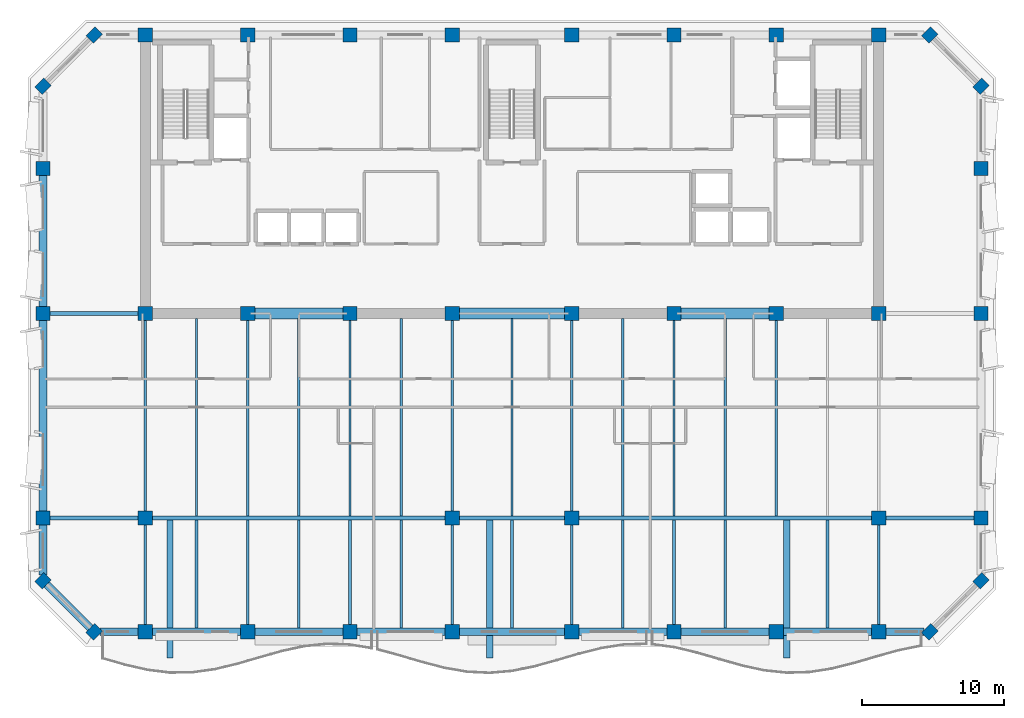
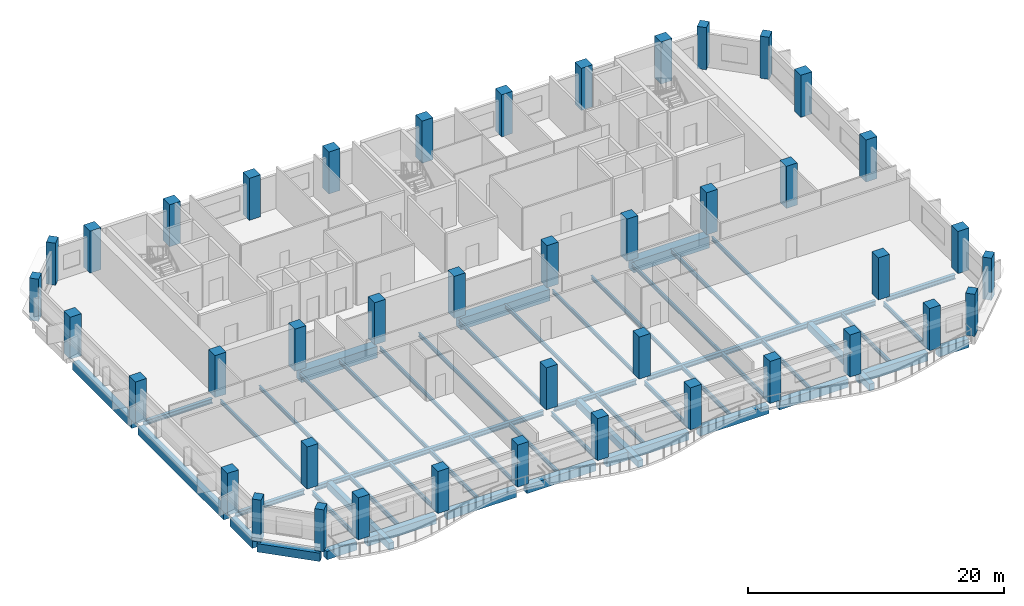
# One storey, part 1 of 10: 52 beams, 42 columns.
"""IFC4 building model written with IfcOpenShell, lengths in metres."""

from ifc_helpers import new_model, si_unit, direction, frame, origin, origin_2d, place, context, subcontext, project, spatial, rectangle, i_section, extrude, material, material_profile, profile_set, type_object, element, save


model = new_model("IFC4")

# Units and contexts
model_context = context("Model", 3, precision=1e-05, world=origin(), true_north=direction((0.0, 1.0)))
body_context = subcontext(model_context, "Body", "Model", "MODEL_VIEW")
ifc_project = project(units=[si_unit("LENGTHUNIT", "METRE"), si_unit("AREAUNIT", "SQUARE_METRE"), si_unit("VOLUMEUNIT", "CUBIC_METRE"), si_unit("PLANEANGLEUNIT", "RADIAN"), si_unit("MASSUNIT", "GRAM", prefix="KILO")], contexts=[model_context])

# Site, building, storey
site_placement = place(None, origin())
site = spatial("IfcSite", under=ifc_project, at=site_placement, CompositionType="ELEMENT")
building_placement = place(site_placement, origin())
building = spatial("IfcBuilding", under=site, at=building_placement, Name="Kaelvorn Grand Hotel", CompositionType="ELEMENT")
storey_placement = place(building_placement, frame((0.0, 0.0, 290.300048828125)))
storey = spatial("IfcBuildingStorey", under=building, at=storey_placement, Name="L71", CompositionType="ELEMENT", Elevation=290.300048828125)

# Columns
ifc_material_1 = material(Name="Concrete C60/75", Category="concrete")
ifc_material_profile_1 = material_profile(ifc_material_1, rectangle(XDim=0.89990234375, YDim=0.75, at=origin_2d()), Name="RC PILASTER 900x750")
ifc_profile_set_1 = profile_set([ifc_material_profile_1], Name="Concrete C60/75")
column_type_1 = type_object("IfcColumnType", Name="COL-PIL-900x750-C60", PredefinedType="PILASTER", material=ifc_profile_set_1)
for number, where, z_axis, x_axis, name in (
    (1, (12.60009765625, 7.0, 0.0), (0.0, 0.0, 1.0), (0.707106781187, 0.707106781187, 0.0), "L71 Structural Column CH-01"),
    (2, (71.39990234375, 7.0, 0.0), (0.0, 0.0, 1.0), (0.707106781187, 0.707106781187, 0.0), "L71 Structural Column CH-02"),
    (3, (75.0, 10.60009765625, 0.0), (0.0, 0.0, 1.0), (0.707106781187, 0.707106781187, 0.0), "L71 Structural Column CH-03"),
    (4, (75.0, 45.39990234375, 0.0), (0.0, 0.0, 1.0), (0.707106781187, 0.707106781187, 0.0), "L71 Structural Column CH-04"),
    (5, (71.39990234375, 49.0, 0.0), (0.0, 0.0, 1.0), (0.707106781187, 0.707106781187, 0.0), "L71 Structural Column CH-05"),
    (6, (12.60009765625, 49.0, 0.0), (0.0, 0.0, 1.0), (0.707106781187, 0.707106781187, 0.0), "L71 Structural Column CH-06"),
    (7, (9.0, 45.39990234375, 0.0), (0.0, 0.0, 1.0), (0.707106781187, 0.707106781187, 0.0), "L71 Structural Column CH-07"),
    (8, (9.0, 10.60009765625, 0.0), (0.0, 0.0, 1.0), (0.707106781187, 0.707106781187, 0.0), "L71 Structural Column CH-08"),
):
    element("IfcColumn", number, at=place(storey_placement, frame(where, z_axis=z_axis, x_axis=x_axis)), inside=storey, type_object=column_type_1, Name=name, PredefinedType="PILASTER", context=body_context, shape_type="SweptSolid", body=[
        extrude(rectangle(XDim=0.89990234375, YDim=0.75, at=origin_2d()), origin(), (0.0, 0.0, 1.0), 4.02001953125),
    ])
ifc_material_2 = material(Name="Concrete C50/60", Category="concrete")
ifc_material_profile_2 = material_profile(ifc_material_2, rectangle(XDim=1.0, YDim=1.0, at=origin_2d()), Name="RC COL 1000x1000")
ifc_profile_set_2 = profile_set([ifc_material_profile_2], Name="Concrete C50/60")
column_type_2 = type_object("IfcColumnType", Name="COL-RC-1000-C50", PredefinedType="COLUMN", material=ifc_profile_set_2)
for number, where, z_axis, x_axis, name in (
    (9, (16.199951171875, 7.0, 0.0), (0.0, 0.0, 1.0), (1.0, 0.0, 0.0), "L71 Structural Column S-01"),
    (10, (23.39990234375, 7.0, 0.0), (0.0, 0.0, 1.0), (1.0, 0.0, 0.0), "L71 Structural Column S-02"),
    (11, (30.60009765625, 7.0, 0.0), (0.0, 0.0, 1.0), (1.0, 0.0, 0.0), "L71 Structural Column S-03"),
    (12, (37.800048828125, 7.0, 0.0), (0.0, 0.0, 1.0), (1.0, 0.0, 0.0), "L71 Structural Column S-04"),
    (13, (46.199951171875, 7.0, 0.0), (0.0, 0.0, 1.0), (1.0, 0.0, 0.0), "L71 Structural Column S-05"),
    (14, (53.39990234375, 7.0, 0.0), (0.0, 0.0, 1.0), (1.0, 0.0, 0.0), "L71 Structural Column S-06"),
    (15, (60.60009765625, 7.0, 0.0), (0.0, 0.0, 1.0), (1.0, 0.0, 0.0), "L71 Structural Column S-07"),
    (16, (67.800048828125, 7.0, 0.0), (0.0, 0.0, 1.0), (1.0, 0.0, 0.0), "L71 Structural Column S-08"),
    (17, (9.0, 15.0, 0.0), (0.0, 0.0, 1.0), (1.0, 0.0, 0.0), "L71 Structural Column W-01"),
    (18, (75.0, 15.0, 0.0), (0.0, 0.0, 1.0), (1.0, 0.0, 0.0), "L71 Structural Column E-01"),
    (19, (9.0, 29.39990234375, 0.0), (0.0, 0.0, 1.0), (1.0, 0.0, 0.0), "L71 Structural Column W-02"),
    (20, (75.0, 29.39990234375, 0.0), (0.0, 0.0, 1.0), (1.0, 0.0, 0.0), "L71 Structural Column E-02"),
    (21, (9.0, 39.60009765625, 0.0), (0.0, 0.0, 1.0), (1.0, 0.0, 0.0), "L71 Structural Column W-03"),
    (22, (75.0, 39.60009765625, 0.0), (0.0, 0.0, 1.0), (1.0, 0.0, 0.0), "L71 Structural Column E-03"),
    (23, (16.199951171875, 15.0, 0.0), (0.0, 0.0, 1.0), (1.0, 0.0, 0.0), "L71 Structural Column M-01"),
    (24, (37.800048828125, 15.0, 0.0), (0.0, 0.0, 1.0), (1.0, 0.0, 0.0), "L71 Structural Column M-02"),
    (25, (46.199951171875, 15.0, 0.0), (0.0, 0.0, 1.0), (1.0, 0.0, 0.0), "L71 Structural Column M-03"),
    (26, (67.800048828125, 15.0, 0.0), (0.0, 0.0, 1.0), (1.0, 0.0, 0.0), "L71 Structural Column M-04"),
    (27, (16.199951171875, 29.39990234375, 0.0), (0.0, 0.0, 1.0), (1.0, 0.0, 0.0), "L71 Structural Column CR1-01"),
    (28, (16.199951171875, 49.0, 0.0), (0.0, 0.0, 1.0), (1.0, 0.0, 0.0), "L71 Structural Column CR2-01"),
    (29, (23.39990234375, 29.39990234375, 0.0), (0.0, 0.0, 1.0), (1.0, 0.0, 0.0), "L71 Structural Column CR1-02"),
    (30, (23.39990234375, 49.0, 0.0), (0.0, 0.0, 1.0), (1.0, 0.0, 0.0), "L71 Structural Column CR2-02"),
    (31, (30.60009765625, 29.39990234375, 0.0), (0.0, 0.0, 1.0), (1.0, 0.0, 0.0), "L71 Structural Column CR1-03"),
    (32, (30.60009765625, 49.0, 0.0), (0.0, 0.0, 1.0), (1.0, 0.0, 0.0), "L71 Structural Column CR2-03"),
    (33, (37.800048828125, 29.39990234375, 0.0), (0.0, 0.0, 1.0), (1.0, 0.0, 0.0), "L71 Structural Column CR1-04"),
    (34, (37.800048828125, 49.0, 0.0), (0.0, 0.0, 1.0), (1.0, 0.0, 0.0), "L71 Structural Column CR2-04"),
    (35, (46.199951171875, 29.39990234375, 0.0), (0.0, 0.0, 1.0), (1.0, 0.0, 0.0), "L71 Structural Column CR1-05"),
    (36, (46.199951171875, 49.0, 0.0), (0.0, 0.0, 1.0), (1.0, 0.0, 0.0), "L71 Structural Column CR2-05"),
    (37, (53.39990234375, 29.39990234375, 0.0), (0.0, 0.0, 1.0), (1.0, 0.0, 0.0), "L71 Structural Column CR1-06"),
    (38, (53.39990234375, 49.0, 0.0), (0.0, 0.0, 1.0), (1.0, 0.0, 0.0), "L71 Structural Column CR2-06"),
    (39, (60.60009765625, 29.39990234375, 0.0), (0.0, 0.0, 1.0), (1.0, 0.0, 0.0), "L71 Structural Column CR1-07"),
    (40, (60.60009765625, 49.0, 0.0), (0.0, 0.0, 1.0), (1.0, 0.0, 0.0), "L71 Structural Column CR2-07"),
    (41, (67.800048828125, 29.39990234375, 0.0), (0.0, 0.0, 1.0), (1.0, 0.0, 0.0), "L71 Structural Column CR1-08"),
    (42, (67.800048828125, 49.0, 0.0), (0.0, 0.0, 1.0), (1.0, 0.0, 0.0), "L71 Structural Column CR2-08"),
):
    element("IfcColumn", number, at=place(storey_placement, frame(where, z_axis=z_axis, x_axis=x_axis)), inside=storey, type_object=column_type_2, Name=name, PredefinedType="COLUMN", context=body_context, shape_type="SweptSolid", body=[
        extrude(rectangle(XDim=1.0, YDim=1.0, at=origin_2d()), origin(), (0.0, 0.0, 1.0), 4.02001953125),
    ])

# Beams
ifc_material_3 = material(Name="Steel S355", Category="steel")
ifc_material_profile_3 = material_profile(ifc_material_3, i_section(OverallWidth=0.300048828125, OverallDepth=0.43994140625, WebThickness=0.011474609375, FlangeThickness=0.02099609375, FilletRadius=0.027099609375, at=origin_2d()), Name="HEA 450")
ifc_profile_set_3 = profile_set([ifc_material_profile_3], Name="Steel S355")
beam_type_1 = type_object("IfcBeamType", Name="BM-G-HEA450-S355", PredefinedType="BEAM", material=ifc_profile_set_3)
beam_1_placement = place(storey_placement, frame((9.485107421875, 15.0, -0.52001953125), z_axis=(1.0, 0.0, 0.0), x_axis=(0.0, 1.0, 0.0)))
element("IfcBeam", 43, at=beam_1_placement, inside=storey, type_object=beam_type_1, Name="L71 Primary Spine Steel Girder G-15 01", PredefinedType="BEAM", context=body_context, shape_type="SweptSolid", body=[
    extrude(i_section(OverallWidth=0.300048828125, OverallDepth=0.43994140625, WebThickness=0.011474609375, FlangeThickness=0.02099609375, FilletRadius=0.027099609375, at=origin_2d()), origin(), (0.0, 0.0, 1.0), 6.22998046875),
])
beam_2_placement = place(storey_placement, frame((16.68505859375, 15.0, -0.52001953125), z_axis=(1.0, 0.0, 0.0), x_axis=(0.0, 1.0, 0.0)))
element("IfcBeam", 44, at=beam_2_placement, inside=storey, type_object=beam_type_1, Name="L71 Primary Spine Steel Girder G-15 02", PredefinedType="BEAM", context=body_context, shape_type="SweptSolid", body=[
    extrude(i_section(OverallWidth=0.300048828125, OverallDepth=0.43994140625, WebThickness=0.011474609375, FlangeThickness=0.02099609375, FilletRadius=0.027099609375, at=origin_2d()), origin(), (0.0, 0.0, 1.0), 20.6298828125),
])
beam_3_placement = place(storey_placement, frame((38.284912109375, 15.0, -0.52001953125), z_axis=(1.0, 0.0, 0.0), x_axis=(0.0, 1.0, 0.0)))
element("IfcBeam", 45, at=beam_3_placement, inside=storey, type_object=beam_type_1, Name="L71 Primary Spine Steel Girder G-15 03", PredefinedType="BEAM", context=body_context, shape_type="SweptSolid", body=[
    extrude(i_section(OverallWidth=0.300048828125, OverallDepth=0.43994140625, WebThickness=0.011474609375, FlangeThickness=0.02099609375, FilletRadius=0.027099609375, at=origin_2d()), origin(), (0.0, 0.0, 1.0), 7.43017578125),
])
beam_4_placement = place(storey_placement, frame((46.68505859375, 15.0, -0.52001953125), z_axis=(1.0, 0.0, 0.0), x_axis=(0.0, 1.0, 0.0)))
element("IfcBeam", 46, at=beam_4_placement, inside=storey, type_object=beam_type_1, Name="L71 Primary Spine Steel Girder G-15 04", PredefinedType="BEAM", context=body_context, shape_type="SweptSolid", body=[
    extrude(i_section(OverallWidth=0.300048828125, OverallDepth=0.43994140625, WebThickness=0.011474609375, FlangeThickness=0.02099609375, FilletRadius=0.027099609375, at=origin_2d()), origin(), (0.0, 0.0, 1.0), 20.6298828125),
])
for number, where, z_axis, x_axis, name in (
    (47, (68.284912109375, 15.0, -0.52001953125), (1.0, 0.0, 0.0), (0.0, 1.0, 0.0), "L71 Primary Spine Steel Girder G-15 05"),
    (48, (9.485107421875, 29.39990234375, -0.52001953125), (1.0, 0.0, 0.0), (0.0, 1.0, 0.0), "L71 West Core Wing Steel Girder G-29W 01"),
):
    element("IfcBeam", number, at=place(storey_placement, frame(where, z_axis=z_axis, x_axis=x_axis)), inside=storey, type_object=beam_type_1, Name=name, PredefinedType="BEAM", context=body_context, shape_type="SweptSolid", body=[
        extrude(i_section(OverallWidth=0.300048828125, OverallDepth=0.43994140625, WebThickness=0.011474609375, FlangeThickness=0.02099609375, FilletRadius=0.027099609375, at=origin_2d()), origin(), (0.0, 0.0, 1.0), 6.22998046875),
    ])
ifc_material_profile_4 = material_profile(ifc_material_3, i_section(OverallWidth=0.169921875, OverallDepth=0.360107421875, WebThickness=0.008056640625, FlangeThickness=0.0126953125, FilletRadius=0.01806640625, at=origin_2d()), Name="IPE 360")
ifc_profile_set_4 = profile_set([ifc_material_profile_4], Name="Steel S355")
beam_type_2 = type_object("IfcBeamType", Name="BM-J-IPE360-S355", PredefinedType="JOIST", material=ifc_profile_set_4)
beam_5_placement = place(storey_placement, frame((16.199951171875, 15.485107421875, -0.47998046875), z_axis=(0.0, 1.0, 0.0), x_axis=(-1.0, 0.0, 0.0)))
element("IfcBeam", 49, at=beam_5_placement, inside=storey, type_object=beam_type_2, Name="L71 Composite Floor Joist JM-05", PredefinedType="JOIST", context=body_context, shape_type="SweptSolid", body=[
    extrude(i_section(OverallWidth=0.169921875, OverallDepth=0.360107421875, WebThickness=0.008056640625, FlangeThickness=0.0126953125, FilletRadius=0.01806640625, at=origin_2d()), origin(), (0.0, 0.0, 1.0), 13.429931640625),
])
beam_6_placement = place(storey_placement, frame((19.800048828125, 15.135009765625, -0.47998046875), z_axis=(0.0, 1.0, 0.0), x_axis=(-1.0, 0.0, 0.0)))
element("IfcBeam", 50, at=beam_6_placement, inside=storey, type_object=beam_type_2, Name="L71 Composite Floor Joist JM-06", PredefinedType="JOIST", context=body_context, shape_type="SweptSolid", body=[
    extrude(i_section(OverallWidth=0.169921875, OverallDepth=0.360107421875, WebThickness=0.008056640625, FlangeThickness=0.0126953125, FilletRadius=0.01806640625, at=origin_2d()), origin(), (0.0, 0.0, 1.0), 13.925048828125),
])
beam_7_placement = place(storey_placement, frame((23.39990234375, 15.135009765625, -0.47998046875), z_axis=(0.0, 1.0, 0.0), x_axis=(-1.0, 0.0, 0.0)))
element("IfcBeam", 51, at=beam_7_placement, inside=storey, type_object=beam_type_2, Name="L71 Composite Floor Joist JM-07", PredefinedType="JOIST", context=body_context, shape_type="SweptSolid", body=[
    extrude(i_section(OverallWidth=0.169921875, OverallDepth=0.360107421875, WebThickness=0.008056640625, FlangeThickness=0.0126953125, FilletRadius=0.01806640625, at=origin_2d()), origin(), (0.0, 0.0, 1.0), 13.780029296875),
])
beam_8_placement = place(storey_placement, frame((27.0, 15.135009765625, -0.47998046875), z_axis=(0.0, 1.0, 0.0), x_axis=(-1.0, 0.0, 0.0)))
element("IfcBeam", 52, at=beam_8_placement, inside=storey, type_object=beam_type_2, Name="L71 Composite Floor Joist JM-08", PredefinedType="JOIST", context=body_context, shape_type="SweptSolid", body=[
    extrude(i_section(OverallWidth=0.169921875, OverallDepth=0.360107421875, WebThickness=0.008056640625, FlangeThickness=0.0126953125, FilletRadius=0.01806640625, at=origin_2d()), origin(), (0.0, 0.0, 1.0), 13.925048828125),
])
beam_9_placement = place(storey_placement, frame((30.60009765625, 15.135009765625, -0.47998046875), z_axis=(0.0, 1.0, 0.0), x_axis=(-1.0, 0.0, 0.0)))
element("IfcBeam", 53, at=beam_9_placement, inside=storey, type_object=beam_type_2, Name="L71 Composite Floor Joist JM-09", PredefinedType="JOIST", context=body_context, shape_type="SweptSolid", body=[
    extrude(i_section(OverallWidth=0.169921875, OverallDepth=0.360107421875, WebThickness=0.008056640625, FlangeThickness=0.0126953125, FilletRadius=0.01806640625, at=origin_2d()), origin(), (0.0, 0.0, 1.0), 13.780029296875),
])
beam_10_placement = place(storey_placement, frame((34.199951171875, 15.135009765625, -0.47998046875), z_axis=(0.0, 1.0, 0.0), x_axis=(-1.0, 0.0, 0.0)))
element("IfcBeam", 54, at=beam_10_placement, inside=storey, type_object=beam_type_2, Name="L71 Composite Floor Joist JM-10", PredefinedType="JOIST", context=body_context, shape_type="SweptSolid", body=[
    extrude(i_section(OverallWidth=0.169921875, OverallDepth=0.360107421875, WebThickness=0.008056640625, FlangeThickness=0.0126953125, FilletRadius=0.01806640625, at=origin_2d()), origin(), (0.0, 0.0, 1.0), 13.925048828125),
])
beam_11_placement = place(storey_placement, frame((37.800048828125, 15.485107421875, -0.47998046875), z_axis=(0.0, 1.0, 0.0), x_axis=(-1.0, 0.0, 0.0)))
element("IfcBeam", 55, at=beam_11_placement, inside=storey, type_object=beam_type_2, Name="L71 Composite Floor Joist JM-11", PredefinedType="JOIST", context=body_context, shape_type="SweptSolid", body=[
    extrude(i_section(OverallWidth=0.169921875, OverallDepth=0.360107421875, WebThickness=0.008056640625, FlangeThickness=0.0126953125, FilletRadius=0.01806640625, at=origin_2d()), origin(), (0.0, 0.0, 1.0), 13.429931640625),
])
beam_12_placement = place(storey_placement, frame((42.0, 15.135009765625, -0.47998046875), z_axis=(0.0, 1.0, 0.0), x_axis=(-1.0, 0.0, 0.0)))
element("IfcBeam", 56, at=beam_12_placement, inside=storey, type_object=beam_type_2, Name="L71 Composite Floor Joist JM-12", PredefinedType="JOIST", context=body_context, shape_type="SweptSolid", body=[
    extrude(i_section(OverallWidth=0.169921875, OverallDepth=0.360107421875, WebThickness=0.008056640625, FlangeThickness=0.0126953125, FilletRadius=0.01806640625, at=origin_2d()), origin(), (0.0, 0.0, 1.0), 13.925048828125),
])
beam_13_placement = place(storey_placement, frame((46.199951171875, 15.485107421875, -0.47998046875), z_axis=(0.0, 1.0, 0.0), x_axis=(-1.0, 0.0, 0.0)))
element("IfcBeam", 57, at=beam_13_placement, inside=storey, type_object=beam_type_2, Name="L71 Composite Floor Joist JM-13", PredefinedType="JOIST", context=body_context, shape_type="SweptSolid", body=[
    extrude(i_section(OverallWidth=0.169921875, OverallDepth=0.360107421875, WebThickness=0.008056640625, FlangeThickness=0.0126953125, FilletRadius=0.01806640625, at=origin_2d()), origin(), (0.0, 0.0, 1.0), 13.429931640625),
])
beam_14_placement = place(storey_placement, frame((49.800048828125, 15.135009765625, -0.47998046875), z_axis=(0.0, 1.0, 0.0), x_axis=(-1.0, 0.0, 0.0)))
element("IfcBeam", 58, at=beam_14_placement, inside=storey, type_object=beam_type_2, Name="L71 Composite Floor Joist JM-14", PredefinedType="JOIST", context=body_context, shape_type="SweptSolid", body=[
    extrude(i_section(OverallWidth=0.169921875, OverallDepth=0.360107421875, WebThickness=0.008056640625, FlangeThickness=0.0126953125, FilletRadius=0.01806640625, at=origin_2d()), origin(), (0.0, 0.0, 1.0), 13.925048828125),
])
beam_15_placement = place(storey_placement, frame((53.39990234375, 15.135009765625, -0.47998046875), z_axis=(0.0, 1.0, 0.0), x_axis=(-1.0, 0.0, 0.0)))
element("IfcBeam", 59, at=beam_15_placement, inside=storey, type_object=beam_type_2, Name="L71 Composite Floor Joist JM-15", PredefinedType="JOIST", context=body_context, shape_type="SweptSolid", body=[
    extrude(i_section(OverallWidth=0.169921875, OverallDepth=0.360107421875, WebThickness=0.008056640625, FlangeThickness=0.0126953125, FilletRadius=0.01806640625, at=origin_2d()), origin(), (0.0, 0.0, 1.0), 13.780029296875),
])
beam_16_placement = place(storey_placement, frame((57.0, 15.135009765625, -0.47998046875), z_axis=(0.0, 1.0, 0.0), x_axis=(-1.0, 0.0, 0.0)))
element("IfcBeam", 60, at=beam_16_placement, inside=storey, type_object=beam_type_2, Name="L71 Composite Floor Joist JM-16", PredefinedType="JOIST", context=body_context, shape_type="SweptSolid", body=[
    extrude(i_section(OverallWidth=0.169921875, OverallDepth=0.360107421875, WebThickness=0.008056640625, FlangeThickness=0.0126953125, FilletRadius=0.01806640625, at=origin_2d()), origin(), (0.0, 0.0, 1.0), 13.925048828125),
])
beam_17_placement = place(storey_placement, frame((60.60009765625, 15.135009765625, -0.47998046875), z_axis=(0.0, 1.0, 0.0), x_axis=(-1.0, 0.0, 0.0)))
element("IfcBeam", 61, at=beam_17_placement, inside=storey, type_object=beam_type_2, Name="L71 Composite Floor Joist JM-17", PredefinedType="JOIST", context=body_context, shape_type="SweptSolid", body=[
    extrude(i_section(OverallWidth=0.169921875, OverallDepth=0.360107421875, WebThickness=0.008056640625, FlangeThickness=0.0126953125, FilletRadius=0.01806640625, at=origin_2d()), origin(), (0.0, 0.0, 1.0), 13.780029296875),
])
ifc_material_profile_5 = material_profile(ifc_material_3, i_section(OverallWidth=0.179931640625, OverallDepth=0.39990234375, WebThickness=0.008544921875, FlangeThickness=0.013427734375, FilletRadius=0.02099609375, at=origin_2d()), Name="IPE 400")
ifc_profile_set_5 = profile_set([ifc_material_profile_5], Name="Steel S355")
beam_type_3 = type_object("IfcBeamType", Name="BM-J-IPE400-S355", PredefinedType="JOIST", material=ifc_profile_set_5)
beam_18_placement = place(storey_placement, frame((16.199951171875, 7.485107421875, -0.5), z_axis=(0.0, 1.0, 0.0), x_axis=(-1.0, 0.0, 0.0)))
element("IfcBeam", 62, at=beam_18_placement, inside=storey, type_object=beam_type_3, Name="L71 Composite Floor Joist JS-05", PredefinedType="JOIST", context=body_context, shape_type="SweptSolid", body=[
    extrude(i_section(OverallWidth=0.179931640625, OverallDepth=0.39990234375, WebThickness=0.008544921875, FlangeThickness=0.013427734375, FilletRadius=0.02099609375, at=origin_2d()), origin(), (0.0, 0.0, 1.0), 7.02978515625),
])
beam_19_placement = place(storey_placement, frame((19.800048828125, 7.260009765625, -0.5), z_axis=(0.0, 1.0, 0.0), x_axis=(-1.0, 0.0, 0.0)))
element("IfcBeam", 63, at=beam_19_placement, inside=storey, type_object=beam_type_3, Name="L71 Composite Floor Joist JS-06", PredefinedType="JOIST", context=body_context, shape_type="SweptSolid", body=[
    extrude(i_section(OverallWidth=0.179931640625, OverallDepth=0.39990234375, WebThickness=0.008544921875, FlangeThickness=0.013427734375, FilletRadius=0.02099609375, at=origin_2d()), origin(), (0.0, 0.0, 1.0), 7.60498046875),
])
beam_20_placement = place(storey_placement, frame((23.39990234375, 7.485107421875, -0.5), z_axis=(0.0, 1.0, 0.0), x_axis=(-1.0, 0.0, 0.0)))
element("IfcBeam", 64, at=beam_20_placement, inside=storey, type_object=beam_type_3, Name="L71 Composite Floor Joist JS-07", PredefinedType="JOIST", context=body_context, shape_type="SweptSolid", body=[
    extrude(i_section(OverallWidth=0.179931640625, OverallDepth=0.39990234375, WebThickness=0.008544921875, FlangeThickness=0.013427734375, FilletRadius=0.02099609375, at=origin_2d()), origin(), (0.0, 0.0, 1.0), 7.3798828125),
])
beam_21_placement = place(storey_placement, frame((27.0, 7.260009765625, -0.5), z_axis=(0.0, 1.0, 0.0), x_axis=(-1.0, 0.0, 0.0)))
element("IfcBeam", 65, at=beam_21_placement, inside=storey, type_object=beam_type_3, Name="L71 Composite Floor Joist JS-08", PredefinedType="JOIST", context=body_context, shape_type="SweptSolid", body=[
    extrude(i_section(OverallWidth=0.179931640625, OverallDepth=0.39990234375, WebThickness=0.008544921875, FlangeThickness=0.013427734375, FilletRadius=0.02099609375, at=origin_2d()), origin(), (0.0, 0.0, 1.0), 7.60498046875),
])
beam_22_placement = place(storey_placement, frame((30.60009765625, 7.485107421875, -0.5), z_axis=(0.0, 1.0, 0.0), x_axis=(-1.0, 0.0, 0.0)))
element("IfcBeam", 66, at=beam_22_placement, inside=storey, type_object=beam_type_3, Name="L71 Composite Floor Joist JS-09", PredefinedType="JOIST", context=body_context, shape_type="SweptSolid", body=[
    extrude(i_section(OverallWidth=0.179931640625, OverallDepth=0.39990234375, WebThickness=0.008544921875, FlangeThickness=0.013427734375, FilletRadius=0.02099609375, at=origin_2d()), origin(), (0.0, 0.0, 1.0), 7.3798828125),
])
beam_23_placement = place(storey_placement, frame((34.199951171875, 7.260009765625, -0.5), z_axis=(0.0, 1.0, 0.0), x_axis=(-1.0, 0.0, 0.0)))
element("IfcBeam", 67, at=beam_23_placement, inside=storey, type_object=beam_type_3, Name="L71 Composite Floor Joist JS-10", PredefinedType="JOIST", context=body_context, shape_type="SweptSolid", body=[
    extrude(i_section(OverallWidth=0.179931640625, OverallDepth=0.39990234375, WebThickness=0.008544921875, FlangeThickness=0.013427734375, FilletRadius=0.02099609375, at=origin_2d()), origin(), (0.0, 0.0, 1.0), 7.60498046875),
])
beam_24_placement = place(storey_placement, frame((37.800048828125, 7.485107421875, -0.5), z_axis=(0.0, 1.0, 0.0), x_axis=(-1.0, 0.0, 0.0)))
element("IfcBeam", 68, at=beam_24_placement, inside=storey, type_object=beam_type_3, Name="L71 Composite Floor Joist JS-11", PredefinedType="JOIST", context=body_context, shape_type="SweptSolid", body=[
    extrude(i_section(OverallWidth=0.179931640625, OverallDepth=0.39990234375, WebThickness=0.008544921875, FlangeThickness=0.013427734375, FilletRadius=0.02099609375, at=origin_2d()), origin(), (0.0, 0.0, 1.0), 7.02978515625),
])
beam_25_placement = place(storey_placement, frame((42.0, 7.260009765625, -0.5), z_axis=(0.0, 1.0, 0.0), x_axis=(-1.0, 0.0, 0.0)))
element("IfcBeam", 69, at=beam_25_placement, inside=storey, type_object=beam_type_3, Name="L71 Composite Floor Joist JS-12", PredefinedType="JOIST", context=body_context, shape_type="SweptSolid", body=[
    extrude(i_section(OverallWidth=0.179931640625, OverallDepth=0.39990234375, WebThickness=0.008544921875, FlangeThickness=0.013427734375, FilletRadius=0.02099609375, at=origin_2d()), origin(), (0.0, 0.0, 1.0), 7.60498046875),
])
beam_26_placement = place(storey_placement, frame((46.199951171875, 7.485107421875, -0.5), z_axis=(0.0, 1.0, 0.0), x_axis=(-1.0, 0.0, 0.0)))
element("IfcBeam", 70, at=beam_26_placement, inside=storey, type_object=beam_type_3, Name="L71 Composite Floor Joist JS-13", PredefinedType="JOIST", context=body_context, shape_type="SweptSolid", body=[
    extrude(i_section(OverallWidth=0.179931640625, OverallDepth=0.39990234375, WebThickness=0.008544921875, FlangeThickness=0.013427734375, FilletRadius=0.02099609375, at=origin_2d()), origin(), (0.0, 0.0, 1.0), 7.02978515625),
])
beam_27_placement = place(storey_placement, frame((49.800048828125, 7.260009765625, -0.5), z_axis=(0.0, 1.0, 0.0), x_axis=(-1.0, 0.0, 0.0)))
element("IfcBeam", 71, at=beam_27_placement, inside=storey, type_object=beam_type_3, Name="L71 Composite Floor Joist JS-14", PredefinedType="JOIST", context=body_context, shape_type="SweptSolid", body=[
    extrude(i_section(OverallWidth=0.179931640625, OverallDepth=0.39990234375, WebThickness=0.008544921875, FlangeThickness=0.013427734375, FilletRadius=0.02099609375, at=origin_2d()), origin(), (0.0, 0.0, 1.0), 7.60498046875),
])
beam_28_placement = place(storey_placement, frame((53.39990234375, 7.485107421875, -0.5), z_axis=(0.0, 1.0, 0.0), x_axis=(-1.0, 0.0, 0.0)))
element("IfcBeam", 72, at=beam_28_placement, inside=storey, type_object=beam_type_3, Name="L71 Composite Floor Joist JS-15", PredefinedType="JOIST", context=body_context, shape_type="SweptSolid", body=[
    extrude(i_section(OverallWidth=0.179931640625, OverallDepth=0.39990234375, WebThickness=0.008544921875, FlangeThickness=0.013427734375, FilletRadius=0.02099609375, at=origin_2d()), origin(), (0.0, 0.0, 1.0), 7.3798828125),
])
for number, where, z_axis, x_axis, name in (
    (73, (57.0, 7.260009765625, -0.5), (0.0, 1.0, 0.0), (-1.0, 0.0, 0.0), "L71 Composite Floor Joist JS-16"),
    (74, (64.199951171875, 7.260009765625, -0.5), (0.0, 1.0, 0.0), (-1.0, 0.0, 0.0), "L71 Composite Floor Joist JS-18"),
):
    element("IfcBeam", number, at=place(storey_placement, frame(where, z_axis=z_axis, x_axis=x_axis)), inside=storey, type_object=beam_type_3, Name=name, PredefinedType="JOIST", context=body_context, shape_type="SweptSolid", body=[
        extrude(i_section(OverallWidth=0.179931640625, OverallDepth=0.39990234375, WebThickness=0.008544921875, FlangeThickness=0.013427734375, FilletRadius=0.02099609375, at=origin_2d()), origin(), (0.0, 0.0, 1.0), 7.60498046875),
    ])
beam_29_placement = place(storey_placement, frame((67.800048828125, 7.485107421875, -0.5), z_axis=(0.0, 1.0, 0.0), x_axis=(-1.0, 0.0, 0.0)))
element("IfcBeam", 75, at=beam_29_placement, inside=storey, type_object=beam_type_3, Name="L71 Composite Floor Joist JS-19", PredefinedType="JOIST", context=body_context, shape_type="SweptSolid", body=[
    extrude(i_section(OverallWidth=0.179931640625, OverallDepth=0.39990234375, WebThickness=0.008544921875, FlangeThickness=0.013427734375, FilletRadius=0.02099609375, at=origin_2d()), origin(), (0.0, 0.0, 1.0), 7.02978515625),
])
ifc_material_profile_6 = material_profile(ifc_material_1, rectangle(XDim=0.800048828125, YDim=1.10009765625, at=origin_2d()), Name="RC LINTEL 800x1100")
ifc_profile_set_6 = profile_set([ifc_material_profile_6], Name="Concrete C60/75")
beam_type_4 = type_object("IfcBeamType", Name="BM-LIN-800x1100-C60", PredefinedType="LINTEL", material=ifc_profile_set_6)
beam_30_placement = place(storey_placement, frame((23.580078125, 29.39990234375, -0.85009765625), z_axis=(1.0, 0.0, 0.0), x_axis=(0.0, 1.0, 0.0)))
element("IfcBeam", 76, at=beam_30_placement, inside=storey, type_object=beam_type_4, Name="L71 Rear-Core Coupling Lintel Beam CB1-01", PredefinedType="LINTEL", context=body_context, shape_type="SweptSolid", body=[
    extrude(rectangle(XDim=0.800048828125, YDim=1.10009765625, at=origin_2d()), origin(), (0.0, 0.0, 1.0), 6.83984375),
])
beam_31_placement = place(storey_placement, frame((37.97998046875, 29.39990234375, -0.85009765625), z_axis=(1.0, 0.0, 0.0), x_axis=(0.0, 1.0, 0.0)))
element("IfcBeam", 77, at=beam_31_placement, inside=storey, type_object=beam_type_4, Name="L71 Rear-Core Coupling Lintel Beam CB1-02", PredefinedType="LINTEL", context=body_context, shape_type="SweptSolid", body=[
    extrude(rectangle(XDim=0.800048828125, YDim=1.10009765625, at=origin_2d()), origin(), (0.0, 0.0, 1.0), 8.0400390625),
])
beam_32_placement = place(storey_placement, frame((53.580078125, 29.39990234375, -0.85009765625), z_axis=(1.0, 0.0, 0.0), x_axis=(0.0, 1.0, 0.0)))
element("IfcBeam", 78, at=beam_32_placement, inside=storey, type_object=beam_type_4, Name="L71 Rear-Core Coupling Lintel Beam CB1-03", PredefinedType="LINTEL", context=body_context, shape_type="SweptSolid", body=[
    extrude(rectangle(XDim=0.800048828125, YDim=1.10009765625, at=origin_2d()), origin(), (0.0, 0.0, 1.0), 6.83984375),
])
ifc_material_4 = material(Name="Concrete C40/50", Category="concrete")
ifc_material_profile_7 = material_profile(ifc_material_4, rectangle(XDim=0.449951171875, YDim=0.64990234375, at=origin_2d()), Name="RC RIB 450x650")
ifc_profile_set_7 = profile_set([ifc_material_profile_7], Name="Concrete C40/50")
beam_type_5 = type_object("IfcBeamType", Name="BM-RIB-450x650-C40", PredefinedType="SPANDREL", material=ifc_profile_set_7)
for number, where, z_axis, x_axis, name in (
    (79, (17.933349609375, 5.14990234375, -0.545166015625), (0.0, 1.0, 0.0), (-1.0, 0.0, 0.0), "L71 Cantilevered Balcony Back-Span Rib RB1-1"),
    (80, (40.422119140625, 5.14990234375, -0.545166015625), (0.0, 1.0, 0.0), (-1.0, 0.0, 0.0), "L71 Cantilevered Balcony Back-Span Rib RB1-2"),
    (81, (61.333251953125, 5.14990234375, -0.545166015625), (0.0, 1.0, 0.0), (-1.0, 0.0, 0.0), "L71 Cantilevered Balcony Back-Span Rib RB1-3"),
):
    element("IfcBeam", number, at=place(storey_placement, frame(where, z_axis=z_axis, x_axis=x_axis)), inside=storey, type_object=beam_type_5, Name=name, PredefinedType="SPANDREL", context=body_context, shape_type="SweptSolid", body=[
        extrude(rectangle(XDim=0.449951171875, YDim=0.64990234375, at=origin_2d()), origin(), (0.0, 0.0, 1.0), 9.715087890625),
    ])
ifc_material_profile_8 = material_profile(ifc_material_2, rectangle(XDim=0.550048828125, YDim=0.800048828125, at=origin_2d()), Name="RC SPANDREL 550x800")
ifc_profile_set_8 = profile_set([ifc_material_profile_8], Name="Concrete C50/60")
beam_type_6 = type_object("IfcBeamType", Name="BM-SP-550x800-C50", PredefinedType="SPANDREL", material=ifc_profile_set_8)
beam_33_placement = place(storey_placement, frame((13.0048828125, 7.0, -0.699951171875), z_axis=(1.0, 0.0, 0.0), x_axis=(0.0, 1.0, 0.0)))
element("IfcBeam", 82, at=beam_33_placement, inside=storey, type_object=beam_type_6, Name="L71 South Perimeter Spandrel 01", PredefinedType="SPANDREL", context=body_context, shape_type="SweptSolid", body=[
    extrude(rectangle(XDim=0.550048828125, YDim=0.800048828125, at=origin_2d()), origin(), (0.0, 0.0, 1.0), 2.710205078125),
])
for number, where, z_axis, x_axis, name in (
    (83, (16.68505859375, 7.0, -0.699951171875), (1.0, 0.0, 0.0), (0.0, 1.0, 0.0), "L71 South Perimeter Spandrel 02"),
    (84, (23.885009765625, 7.0, -0.699951171875), (1.0, 0.0, 0.0), (0.0, 1.0, 0.0), "L71 South Perimeter Spandrel 03"),
    (85, (31.0849609375, 7.0, -0.699951171875), (1.0, 0.0, 0.0), (0.0, 1.0, 0.0), "L71 South Perimeter Spandrel 04"),
):
    element("IfcBeam", number, at=place(storey_placement, frame(where, z_axis=z_axis, x_axis=x_axis)), inside=storey, type_object=beam_type_6, Name=name, PredefinedType="SPANDREL", context=body_context, shape_type="SweptSolid", body=[
        extrude(rectangle(XDim=0.550048828125, YDim=0.800048828125, at=origin_2d()), origin(), (0.0, 0.0, 1.0), 6.22998046875),
    ])
beam_34_placement = place(storey_placement, frame((38.284912109375, 7.0, -0.699951171875), z_axis=(1.0, 0.0, 0.0), x_axis=(0.0, 1.0, 0.0)))
element("IfcBeam", 86, at=beam_34_placement, inside=storey, type_object=beam_type_6, Name="L71 South Perimeter Spandrel 05", PredefinedType="SPANDREL", context=body_context, shape_type="SweptSolid", body=[
    extrude(rectangle(XDim=0.550048828125, YDim=0.800048828125, at=origin_2d()), origin(), (0.0, 0.0, 1.0), 7.43017578125),
])
for number, where, z_axis, x_axis, name in (
    (87, (46.68505859375, 7.0, -0.699951171875), (1.0, 0.0, 0.0), (0.0, 1.0, 0.0), "L71 South Perimeter Spandrel 06"),
    (88, (53.885009765625, 7.0, -0.699951171875), (1.0, 0.0, 0.0), (0.0, 1.0, 0.0), "L71 South Perimeter Spandrel 07"),
    (89, (61.0849609375, 7.0, -0.699951171875), (1.0, 0.0, 0.0), (0.0, 1.0, 0.0), "L71 South Perimeter Spandrel 08"),
):
    element("IfcBeam", number, at=place(storey_placement, frame(where, z_axis=z_axis, x_axis=x_axis)), inside=storey, type_object=beam_type_6, Name=name, PredefinedType="SPANDREL", context=body_context, shape_type="SweptSolid", body=[
        extrude(rectangle(XDim=0.550048828125, YDim=0.800048828125, at=origin_2d()), origin(), (0.0, 0.0, 1.0), 6.22998046875),
    ])
beam_35_placement = place(storey_placement, frame((68.284912109375, 7.0, -0.699951171875), z_axis=(1.0, 0.0, 0.0), x_axis=(0.0, 1.0, 0.0)))
element("IfcBeam", 90, at=beam_35_placement, inside=storey, type_object=beam_type_6, Name="L71 South Perimeter Spandrel 09", PredefinedType="SPANDREL", context=body_context, shape_type="SweptSolid", body=[
    extrude(rectangle(XDim=0.550048828125, YDim=0.800048828125, at=origin_2d()), origin(), (0.0, 0.0, 1.0), 2.710205078125),
])
beam_36_placement = place(storey_placement, frame((9.0, 11.0048828125, -0.699951171875), z_axis=(0.0, 1.0, 0.0), x_axis=(-1.0, 0.0, 0.0)))
element("IfcBeam", 91, at=beam_36_placement, inside=storey, type_object=beam_type_6, Name="L71 West Perimeter Spandrel 01", PredefinedType="SPANDREL", context=body_context, shape_type="SweptSolid", body=[
    extrude(rectangle(XDim=0.550048828125, YDim=0.800048828125, at=origin_2d()), origin(), (0.0, 0.0, 1.0), 3.510009765625),
])
beam_37_placement = place(storey_placement, frame((9.0, 15.485107421875, -0.699951171875), z_axis=(0.0, 1.0, 0.0), x_axis=(-1.0, 0.0, 0.0)))
element("IfcBeam", 92, at=beam_37_placement, inside=storey, type_object=beam_type_6, Name="L71 West Perimeter Spandrel 02", PredefinedType="SPANDREL", context=body_context, shape_type="SweptSolid", body=[
    extrude(rectangle(XDim=0.550048828125, YDim=0.800048828125, at=origin_2d()), origin(), (0.0, 0.0, 1.0), 13.429931640625),
])
beam_38_placement = place(storey_placement, frame((9.0, 29.885009765625, -0.699951171875), z_axis=(0.0, 1.0, 0.0), x_axis=(-1.0, 0.0, 0.0)))
element("IfcBeam", 93, at=beam_38_placement, inside=storey, type_object=beam_type_6, Name="L71 West Perimeter Spandrel 03", PredefinedType="SPANDREL", context=body_context, shape_type="SweptSolid", body=[
    extrude(rectangle(XDim=0.550048828125, YDim=0.800048828125, at=origin_2d()), origin(), (0.0, 0.0, 1.0), 9.22998046875),
])
beam_39_placement = place(storey_placement, frame((9.0, 10.60009765625, -0.699951171875), z_axis=(0.707106781187, -0.707106781187, 0.0), x_axis=(0.707106781187, 0.707106781187, 0.0)))
element("IfcBeam", 94, at=beam_39_placement, inside=storey, type_object=beam_type_6, Name="L71 Chamfer Spandrel Beam 4", PredefinedType="SPANDREL", context=body_context, shape_type="SweptSolid", body=[
    extrude(rectangle(XDim=0.550048828125, YDim=0.800048828125, at=origin_2d()), origin(), (0.0, 0.0, 1.0), 5.09130859375),
])

save(model, "model.ifc")
